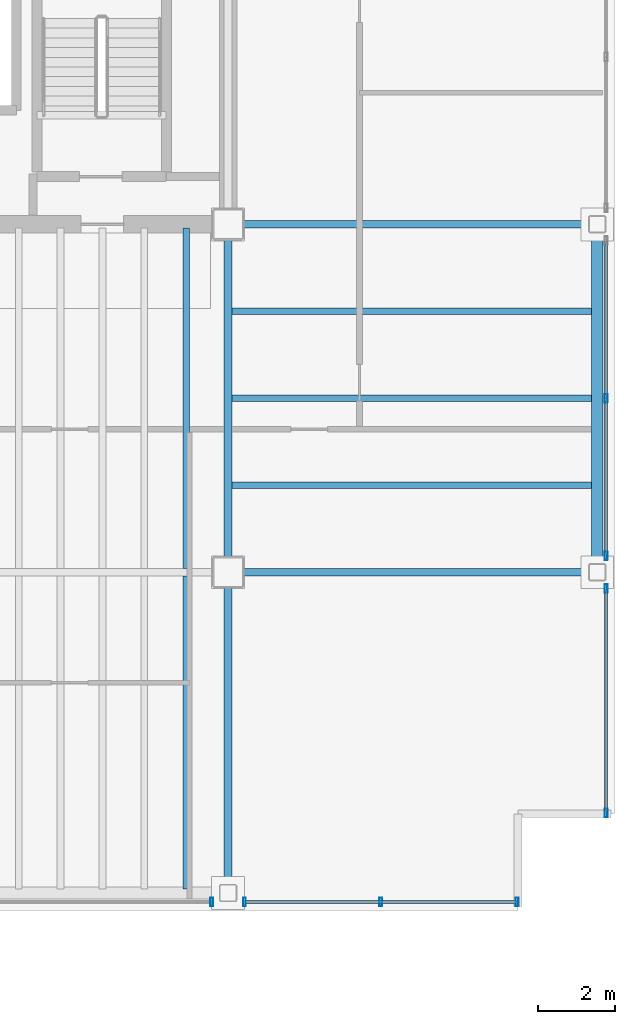
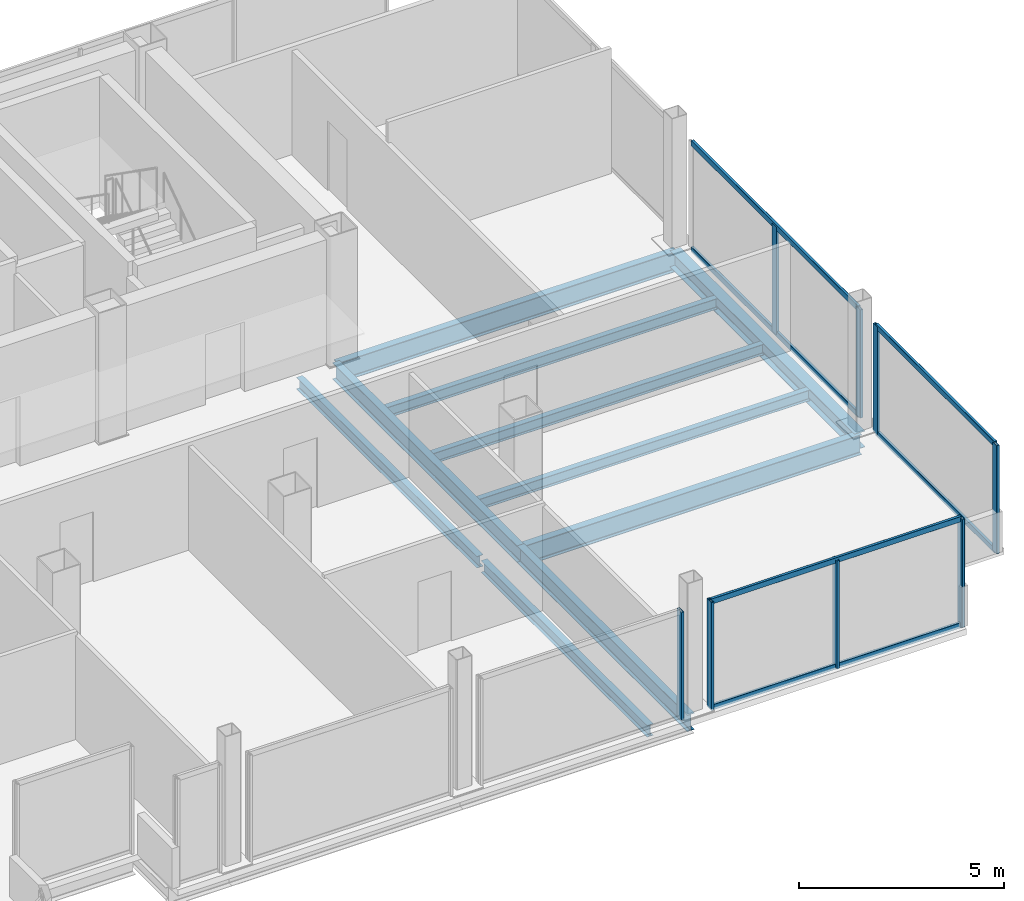
# One storey, part 10 of 15: 14 members, 10 beams, 4 elements without a shape of their own.
"""IFC4 building model written with IfcOpenShell, lengths in metres."""

from ifc_helpers import new_model, si_unit, direction, frame, origin, origin_2d, place, context, subcontext, project, spatial, hollow_rectangle, i_section, extrude, material, material_profile, profile_set, type_object, element, aggregate, save


model = new_model("IFC4")

# Units and contexts
model_context = context("Model", 3, precision=1e-05, world=origin(), true_north=direction((0.0, 1.0)))
body_context = subcontext(model_context, "Body", "Model", "MODEL_VIEW")
ifc_project = project(units=[si_unit("LENGTHUNIT", "METRE"), si_unit("AREAUNIT", "SQUARE_METRE"), si_unit("VOLUMEUNIT", "CUBIC_METRE"), si_unit("PLANEANGLEUNIT", "RADIAN"), si_unit("MASSUNIT", "GRAM", prefix="KILO")], contexts=[model_context])

# Site, building, storey
site_placement = place(None, origin())
site = spatial("IfcSite", under=ifc_project, at=site_placement, CompositionType="ELEMENT")
building_placement = place(site_placement, origin())
building = spatial("IfcBuilding", under=site, at=building_placement, Name="Noeulbin Bourse Tower", CompositionType="ELEMENT")
storey_placement = place(building_placement, frame((0.0, 0.0, 218.89990234375)))
storey = spatial("IfcBuildingStorey", under=building, at=storey_placement, Name="L54", CompositionType="ELEMENT", Elevation=218.89990234375)

# Beams
ifc_material_1 = material(Name="Steel S355", Category="steel")
ifc_material_profile_1 = material_profile(ifc_material_1, i_section(OverallWidth=0.199951171875, OverallDepth=0.5, WebThickness=0.010009765625, FlangeThickness=0.01611328125, FilletRadius=0.02001953125, at=origin_2d()), Name="H-500x200x10x16", Category="LoadBearing")
ifc_profile_set_1 = profile_set([ifc_material_profile_1], Name="Steel S355")
beam_type_1 = type_object("IfcBeamType", Name="BM-GRD-500", PredefinedType="USERDEFINED", material=ifc_profile_set_1)
beam_1_placement = place(storey_placement, frame((44.0, 11.699951171875, -0.429931640625), z_axis=(0.0, 1.0, 0.0), x_axis=(-1.0, 0.0, 0.0)))
element("IfcBeam", 1, at=beam_1_placement, inside=storey, type_object=beam_type_1, Name="Tower Primary Girder NS L54-5.1", ObjectType="GIRDER", PredefinedType="USERDEFINED", context=body_context, shape_type="SweptSolid", body=[
    extrude(i_section(OverallWidth=0.199951171875, OverallDepth=0.5, WebThickness=0.010009765625, FlangeThickness=0.01611328125, FilletRadius=0.02001953125, at=origin_2d()), origin(), (0.0, 0.0, 1.0), 8.300048828125),
])
beam_2_placement = place(storey_placement, frame((44.0, 20.0, -0.429931640625), z_axis=(0.0, 1.0, 0.0), x_axis=(-1.0, 0.0, 0.0)))
element("IfcBeam", 2, at=beam_2_placement, inside=storey, type_object=beam_type_1, Name="Tower Primary Girder NS L54-5.2", ObjectType="GIRDER", PredefinedType="USERDEFINED", context=body_context, shape_type="SweptSolid", body=[
    extrude(i_section(OverallWidth=0.199951171875, OverallDepth=0.5, WebThickness=0.010009765625, FlangeThickness=0.01611328125, FilletRadius=0.02001953125, at=origin_2d()), origin(), (0.0, 0.0, 1.0), 9.0),
])
ifc_material_profile_2 = material_profile(ifc_material_1, i_section(OverallWidth=0.199951171875, OverallDepth=0.60009765625, WebThickness=0.010986328125, FlangeThickness=0.01708984375, FilletRadius=0.02197265625, at=origin_2d()), Name="H-600x200x11x17", Category="LoadBearing")
ifc_profile_set_2 = profile_set([ifc_material_profile_2], Name="Steel S355")
beam_type_2 = type_object("IfcBeamType", Name="BM-GRD-600", PredefinedType="USERDEFINED", material=ifc_profile_set_2)
for number, where, z_axis, x_axis, name in (
    (3, (44.0, 20.0, -0.47998046875), (1.0, 0.0, 0.0), (0.0, 1.0, 0.0), "Tower Primary Girder EW L54-1.6"),
    (4, (44.0, 29.0, -0.47998046875), (1.0, 0.0, 0.0), (0.0, 1.0, 0.0), "Tower Primary Girder EW L54-2.6"),
):
    element("IfcBeam", number, at=place(storey_placement, frame(where, z_axis=z_axis, x_axis=x_axis)), inside=storey, type_object=beam_type_2, Name=name, ObjectType="GIRDER", PredefinedType="USERDEFINED", context=body_context, shape_type="SweptSolid", body=[
        extrude(i_section(OverallWidth=0.199951171875, OverallDepth=0.60009765625, WebThickness=0.010986328125, FlangeThickness=0.01708984375, FilletRadius=0.02197265625, at=origin_2d()), origin(), (0.0, 0.0, 1.0), 9.550048828125),
    ])
ifc_material_profile_3 = material_profile(ifc_material_1, i_section(OverallWidth=0.159912109375, OverallDepth=0.320068359375, WebThickness=0.006591796875, FlangeThickness=0.010009765625, FilletRadius=0.012939453125, at=origin_2d()), Name="H-320x160x6.5x10", Category="LoadBearing")
ifc_profile_set_3 = profile_set([ifc_material_profile_3], Name="Steel S355")
beam_type_3 = type_object("IfcBeamType", Name="BM-JST-320", PredefinedType="JOIST", material=ifc_profile_set_3)
for number, where, z_axis, x_axis, name in (
    (5, (44.10009765625, 22.25, -0.33984375), (1.0, 0.0, 0.0), (0.0, 1.0, 0.0), "Wing Composite Joist L54-E50"),
    (6, (44.10009765625, 24.5, -0.33984375), (1.0, 0.0, 0.0), (0.0, 1.0, 0.0), "Wing Composite Joist L54-E51"),
    (7, (44.10009765625, 26.75, -0.33984375), (1.0, 0.0, 0.0), (0.0, 1.0, 0.0), "Wing Composite Joist L54-E52"),
):
    element("IfcBeam", number, at=place(storey_placement, frame(where, z_axis=z_axis, x_axis=x_axis)), inside=storey, type_object=beam_type_3, Name=name, PredefinedType="JOIST", context=body_context, shape_type="SweptSolid", body=[
        extrude(i_section(OverallWidth=0.159912109375, OverallDepth=0.320068359375, WebThickness=0.006591796875, FlangeThickness=0.010009765625, FilletRadius=0.012939453125, at=origin_2d()), origin(), (0.0, 0.0, 1.0), 9.2998046875),
    ])
ifc_material_profile_4 = material_profile(ifc_material_1, i_section(OverallWidth=0.175048828125, OverallDepth=0.35009765625, WebThickness=0.007080078125, FlangeThickness=0.010986328125, FilletRadius=0.013916015625, at=origin_2d()), Name="H-350x175x7x11", Category="LoadBearing")
ifc_profile_set_4 = profile_set([ifc_material_profile_4], Name="Steel S355")
beam_type_4 = type_object("IfcBeamType", Name="BM-JST-350", PredefinedType="JOIST", material=ifc_profile_set_4)
beam_3_placement = place(storey_placement, frame((42.916748046875, 11.800048828125, -0.35498046875), z_axis=(0.0, 1.0, 0.0), x_axis=(-1.0, 0.0, 0.0)))
element("IfcBeam", 8, at=beam_3_placement, inside=storey, type_object=beam_type_4, Name="Tower Composite Joist L54-45", PredefinedType="JOIST", context=body_context, shape_type="SweptSolid", body=[
    extrude(i_section(OverallWidth=0.175048828125, OverallDepth=0.35009765625, WebThickness=0.007080078125, FlangeThickness=0.010986328125, FilletRadius=0.013916015625, at=origin_2d()), origin(), (0.0, 0.0, 1.0), 8.099853515625),
])
beam_4_placement = place(storey_placement, frame((42.916748046875, 20.10009765625, -0.35498046875), z_axis=(0.0, 1.0, 0.0), x_axis=(-1.0, 0.0, 0.0)))
element("IfcBeam", 9, at=beam_4_placement, inside=storey, type_object=beam_type_4, Name="Tower Composite Joist L54-46", PredefinedType="JOIST", context=body_context, shape_type="SweptSolid", body=[
    extrude(i_section(OverallWidth=0.175048828125, OverallDepth=0.35009765625, WebThickness=0.007080078125, FlangeThickness=0.010986328125, FilletRadius=0.013916015625, at=origin_2d()), origin(), (0.0, 0.0, 1.0), 8.7998046875),
])
ifc_material_profile_5 = material_profile(ifc_material_1, i_section(OverallWidth=0.300048828125, OverallDepth=0.488037109375, WebThickness=0.010986328125, FlangeThickness=0.01806640625, FilletRadius=0.02197265625, at=origin_2d()), Name="H-488x300x11x18", Category="LoadBearing")
ifc_profile_set_5 = profile_set([ifc_material_profile_5], Name="Steel S355")
beam_type_5 = type_object("IfcBeamType", Name="BM-SPN-488", PredefinedType="SPANDREL", material=ifc_profile_set_5)
beam_5_placement = place(storey_placement, frame((53.550048828125, 20.0, -0.423828125), z_axis=(0.0, 1.0, 0.0), x_axis=(-1.0, 0.0, 0.0)))
element("IfcBeam", 10, at=beam_5_placement, inside=storey, type_object=beam_type_5, Name="East Spandrel L54-1", PredefinedType="SPANDREL", context=body_context, shape_type="SweptSolid", body=[
    extrude(i_section(OverallWidth=0.300048828125, OverallDepth=0.488037109375, WebThickness=0.010986328125, FlangeThickness=0.01806640625, FilletRadius=0.02197265625, at=origin_2d()), origin(), (0.0, 0.0, 1.0), 9.0),
])

# Curtain wall, member
ifc_material_2 = material(Name="High-Selectivity Low-Iron Glazing", Category="glass")
curtain_wall_type = type_object("IfcCurtainWallType", Name="CW-SYS-4", PredefinedType="NOTDEFINED", material=ifc_material_2)
curtain_wall_1_placement = place(storey_placement, origin())
curtain_wall_1 = element("IfcCurtainWall", 11, at=curtain_wall_1_placement, inside=storey, type_object=curtain_wall_type, Name="Unitised Curtain Wall CW-L54-S3-S3", PredefinedType="NOTDEFINED")
ifc_material_3 = material(Name="Anodised Aluminium 6063-T6", Category="aluminium")
ifc_material_profile_6 = material_profile(ifc_material_3, hollow_rectangle(XDim=0.074951171875, YDim=0.219970703125, WallThickness=0.0048828125, InnerFilletRadius=0.00244140625, OuterFilletRadius=0.0048828125, at=origin_2d()), Name="ALU-MULL-75x220x5", Category="LoadBearing")
ifc_profile_set_6 = profile_set([ifc_material_profile_6], Name="Anodised Aluminium 6063-T6")
member_type_1 = type_object("IfcMemberType", Name="CW-SYS-4-MUL", PredefinedType="MULLION", material=ifc_profile_set_6)
member_1_placement = place(storey_placement, frame((43.574951171875, 11.469970703125, -0.02001953125), z_axis=(0.0, 0.0, 1.0), x_axis=(1.0, 0.0, 0.0)))
member_1 = element("IfcMember", 12, at=member_1_placement, type_object=member_type_1, Name="Curtain Wall Mullion CW-L54-S3-S3-M01", PredefinedType="MULLION", context=body_context, shape_type="SweptSolid", body=[
    extrude(hollow_rectangle(XDim=0.074951171875, YDim=0.219970703125, WallThickness=0.0048828125, InnerFilletRadius=0.00244140625, OuterFilletRadius=0.0048828125, at=origin_2d()), origin(), (0.0, 0.0, 1.0), 3.22021484375),
])
aggregate(curtain_wall_1, [member_1])

# Curtain wall, members
curtain_wall_2_placement = place(storey_placement, origin())
curtain_wall_2 = element("IfcCurtainWall", 13, at=curtain_wall_2_placement, inside=storey, type_object=curtain_wall_type, Name="Unitised Curtain Wall CW-L54-S3-S4", PredefinedType="NOTDEFINED")
member_2_placement = place(storey_placement, frame((44.425048828125, 11.469970703125, -0.02001953125), z_axis=(0.0, 0.0, 1.0), x_axis=(1.0, 0.0, 0.0)))
member_2 = element("IfcMember", 14, at=member_2_placement, type_object=member_type_1, Name="Curtain Wall Mullion CW-L54-S3-S4-M00", PredefinedType="MULLION", context=body_context, shape_type="SweptSolid", body=[
    extrude(hollow_rectangle(XDim=0.074951171875, YDim=0.219970703125, WallThickness=0.0048828125, InnerFilletRadius=0.00244140625, OuterFilletRadius=0.0048828125, at=origin_2d()), origin(), (0.0, 0.0, 1.0), 3.22021484375),
])
member_3_placement = place(storey_placement, frame((47.952392578125, 11.469970703125, -0.02001953125), z_axis=(0.0, 0.0, 1.0), x_axis=(1.0, 0.0, 0.0)))
member_3 = element("IfcMember", 15, at=member_3_placement, type_object=member_type_1, Name="Curtain Wall Mullion CW-L54-S3-S4-M01", PredefinedType="MULLION", context=body_context, shape_type="SweptSolid", body=[
    extrude(hollow_rectangle(XDim=0.074951171875, YDim=0.219970703125, WallThickness=0.0048828125, InnerFilletRadius=0.00244140625, OuterFilletRadius=0.0048828125, at=origin_2d()), origin(), (0.0, 0.0, 1.0), 3.22021484375),
])
member_4_placement = place(storey_placement, frame((51.47998046875, 11.469970703125, -0.02001953125), z_axis=(0.0, 0.0, 1.0), x_axis=(1.0, 0.0, 0.0)))
member_4 = element("IfcMember", 16, at=member_4_placement, type_object=member_type_1, Name="Curtain Wall Mullion CW-L54-S3-S4-M02", PredefinedType="MULLION", context=body_context, shape_type="SweptSolid", body=[
    extrude(hollow_rectangle(XDim=0.074951171875, YDim=0.219970703125, WallThickness=0.0048828125, InnerFilletRadius=0.00244140625, OuterFilletRadius=0.0048828125, at=origin_2d()), origin(), (0.0, 0.0, 1.0), 3.22021484375),
])

curtain_wall_3_placement = place(storey_placement, origin())
curtain_wall_3 = element("IfcCurtainWall", 17, at=curtain_wall_3_placement, inside=storey, type_object=curtain_wall_type, Name="Unitised Curtain Wall CW-L54-E-S1", PredefinedType="NOTDEFINED")
member_5_placement = place(storey_placement, frame((53.780029296875, 13.77001953125, -0.02001953125), z_axis=(0.0, 0.0, 1.0), x_axis=(1.0, 0.0, 0.0)))
member_5 = element("IfcMember", 18, at=member_5_placement, type_object=member_type_1, Name="Curtain Wall Mullion CW-L54-E-S1-M00", PredefinedType="MULLION", context=body_context, shape_type="SweptSolid", body=[
    extrude(hollow_rectangle(XDim=0.074951171875, YDim=0.219970703125, WallThickness=0.0048828125, InnerFilletRadius=0.00244140625, OuterFilletRadius=0.0048828125, at=origin_2d()), origin(), (0.0, 0.0, 1.0), 3.22021484375),
])
member_6_placement = place(storey_placement, frame((53.780029296875, 19.574951171875, -0.02001953125), z_axis=(0.0, 0.0, 1.0), x_axis=(1.0, 0.0, 0.0)))
member_6 = element("IfcMember", 19, at=member_6_placement, type_object=member_type_1, Name="Curtain Wall Mullion CW-L54-E-S1-M01", PredefinedType="MULLION", context=body_context, shape_type="SweptSolid", body=[
    extrude(hollow_rectangle(XDim=0.074951171875, YDim=0.219970703125, WallThickness=0.0048828125, InnerFilletRadius=0.00244140625, OuterFilletRadius=0.0048828125, at=origin_2d()), origin(), (0.0, 0.0, 1.0), 3.22021484375),
])

curtain_wall_4_placement = place(storey_placement, origin())
curtain_wall_4 = element("IfcCurtainWall", 20, at=curtain_wall_4_placement, inside=storey, type_object=curtain_wall_type, Name="Unitised Curtain Wall CW-L54-E-S2", PredefinedType="NOTDEFINED")
member_7_placement = place(storey_placement, frame((53.780029296875, 20.425048828125, -0.02001953125), z_axis=(0.0, 0.0, 1.0), x_axis=(1.0, 0.0, 0.0)))
member_7 = element("IfcMember", 21, at=member_7_placement, type_object=member_type_1, Name="Curtain Wall Mullion CW-L54-E-S2-M00", PredefinedType="MULLION", context=body_context, shape_type="SweptSolid", body=[
    extrude(hollow_rectangle(XDim=0.074951171875, YDim=0.219970703125, WallThickness=0.0048828125, InnerFilletRadius=0.00244140625, OuterFilletRadius=0.0048828125, at=origin_2d()), origin(), (0.0, 0.0, 1.0), 3.22021484375),
])
member_8_placement = place(storey_placement, frame((53.780029296875, 24.5, -0.02001953125), z_axis=(0.0, 0.0, 1.0), x_axis=(1.0, 0.0, 0.0)))
member_8 = element("IfcMember", 22, at=member_8_placement, type_object=member_type_1, Name="Curtain Wall Mullion CW-L54-E-S2-M01", PredefinedType="MULLION", context=body_context, shape_type="SweptSolid", body=[
    extrude(hollow_rectangle(XDim=0.074951171875, YDim=0.219970703125, WallThickness=0.0048828125, InnerFilletRadius=0.00244140625, OuterFilletRadius=0.0048828125, at=origin_2d()), origin(), (0.0, 0.0, 1.0), 3.22021484375),
])

# Member
ifc_material_profile_7 = material_profile(ifc_material_3, hollow_rectangle(XDim=0.074951171875, YDim=0.159912109375, WallThickness=0.0048828125, InnerFilletRadius=0.00244140625, OuterFilletRadius=0.0048828125, at=origin_2d()), Name="ALU-TRAN-75x160x5", Category="LoadBearing")
ifc_profile_set_7 = profile_set([ifc_material_profile_7], Name="Anodised Aluminium 6063-T6")
member_type_2 = type_object("IfcMemberType", Name="CW-SYS-4-TRN", PredefinedType="USERDEFINED", material=ifc_profile_set_7)
member_9_placement = place(storey_placement, frame((44.43505859375, 11.469970703125, 0.010009765625), z_axis=(1.0, 0.0, 0.0), x_axis=(0.0, 1.0, 0.0)))
member_9 = element("IfcMember", 23, at=member_9_placement, type_object=member_type_2, Name="Curtain Wall Transom CW-L54-S3-S4-T00", ObjectType="TRANSOM", PredefinedType="USERDEFINED", context=body_context, shape_type="SweptSolid", body=[
    extrude(hollow_rectangle(XDim=0.074951171875, YDim=0.159912109375, WallThickness=0.0048828125, InnerFilletRadius=0.00244140625, OuterFilletRadius=0.0048828125, at=origin_2d()), origin(), (0.0, 0.0, 1.0), 7.034912109375),
])

member_10_placement = place(storey_placement, frame((44.43505859375, 11.469970703125, 3.170166015625), z_axis=(1.0, 0.0, 0.0), x_axis=(0.0, 1.0, 0.0)))
member_10 = element("IfcMember", 24, at=member_10_placement, type_object=member_type_2, Name="Curtain Wall Transom CW-L54-S3-S4-T01", ObjectType="TRANSOM", PredefinedType="USERDEFINED", context=body_context, shape_type="SweptSolid", body=[
    extrude(hollow_rectangle(XDim=0.074951171875, YDim=0.159912109375, WallThickness=0.0048828125, InnerFilletRadius=0.00244140625, OuterFilletRadius=0.0048828125, at=origin_2d()), origin(), (0.0, 0.0, 1.0), 7.034912109375),
])

aggregate(curtain_wall_2, [member_2, member_3, member_4, member_9, member_10])

member_11_placement = place(storey_placement, frame((53.780029296875, 13.780029296875, 0.010009765625), z_axis=(0.0, 1.0, 0.0), x_axis=(-1.0, 0.0, 0.0)))
member_11 = element("IfcMember", 25, at=member_11_placement, type_object=member_type_2, Name="Curtain Wall Transom CW-L54-E-S1-T00", ObjectType="TRANSOM", PredefinedType="USERDEFINED", context=body_context, shape_type="SweptSolid", body=[
    extrude(hollow_rectangle(XDim=0.074951171875, YDim=0.159912109375, WallThickness=0.0048828125, InnerFilletRadius=0.00244140625, OuterFilletRadius=0.0048828125, at=origin_2d()), origin(), (0.0, 0.0, 1.0), 5.784912109375),
])

member_12_placement = place(storey_placement, frame((53.780029296875, 13.780029296875, 3.170166015625), z_axis=(0.0, 1.0, 0.0), x_axis=(-1.0, 0.0, 0.0)))
member_12 = element("IfcMember", 26, at=member_12_placement, type_object=member_type_2, Name="Curtain Wall Transom CW-L54-E-S1-T01", ObjectType="TRANSOM", PredefinedType="USERDEFINED", context=body_context, shape_type="SweptSolid", body=[
    extrude(hollow_rectangle(XDim=0.074951171875, YDim=0.159912109375, WallThickness=0.0048828125, InnerFilletRadius=0.00244140625, OuterFilletRadius=0.0048828125, at=origin_2d()), origin(), (0.0, 0.0, 1.0), 5.784912109375),
])

aggregate(curtain_wall_3, [member_5, member_6, member_11, member_12])

member_13_placement = place(storey_placement, frame((53.780029296875, 20.43505859375, 0.010009765625), z_axis=(0.0, 1.0, 0.0), x_axis=(-1.0, 0.0, 0.0)))
member_13 = element("IfcMember", 27, at=member_13_placement, type_object=member_type_2, Name="Curtain Wall Transom CW-L54-E-S2-T00", ObjectType="TRANSOM", PredefinedType="USERDEFINED", context=body_context, shape_type="SweptSolid", body=[
    extrude(hollow_rectangle(XDim=0.074951171875, YDim=0.159912109375, WallThickness=0.0048828125, InnerFilletRadius=0.00244140625, OuterFilletRadius=0.0048828125, at=origin_2d()), origin(), (0.0, 0.0, 1.0), 8.1298828125),
])

member_14_placement = place(storey_placement, frame((53.780029296875, 20.43505859375, 3.170166015625), z_axis=(0.0, 1.0, 0.0), x_axis=(-1.0, 0.0, 0.0)))
member_14 = element("IfcMember", 28, at=member_14_placement, type_object=member_type_2, Name="Curtain Wall Transom CW-L54-E-S2-T01", ObjectType="TRANSOM", PredefinedType="USERDEFINED", context=body_context, shape_type="SweptSolid", body=[
    extrude(hollow_rectangle(XDim=0.074951171875, YDim=0.159912109375, WallThickness=0.0048828125, InnerFilletRadius=0.00244140625, OuterFilletRadius=0.0048828125, at=origin_2d()), origin(), (0.0, 0.0, 1.0), 8.1298828125),
])

aggregate(curtain_wall_4, [member_7, member_8, member_13, member_14])

save(model, "model.ifc")
